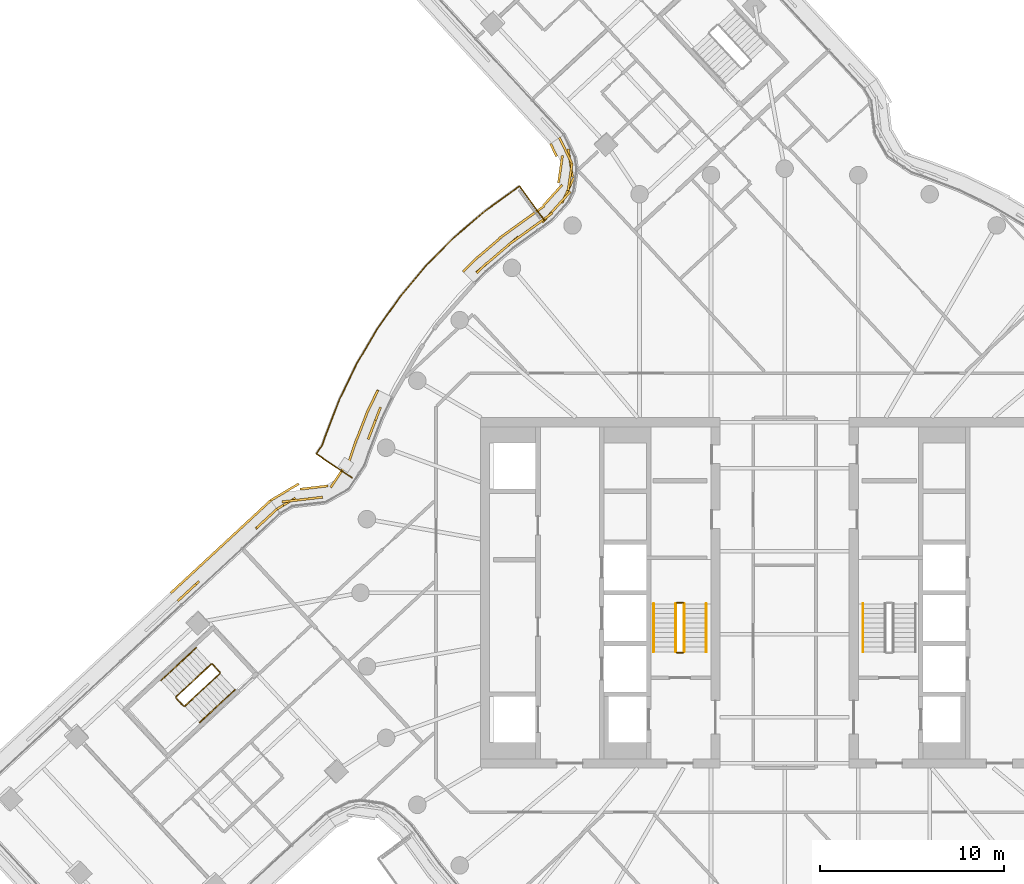
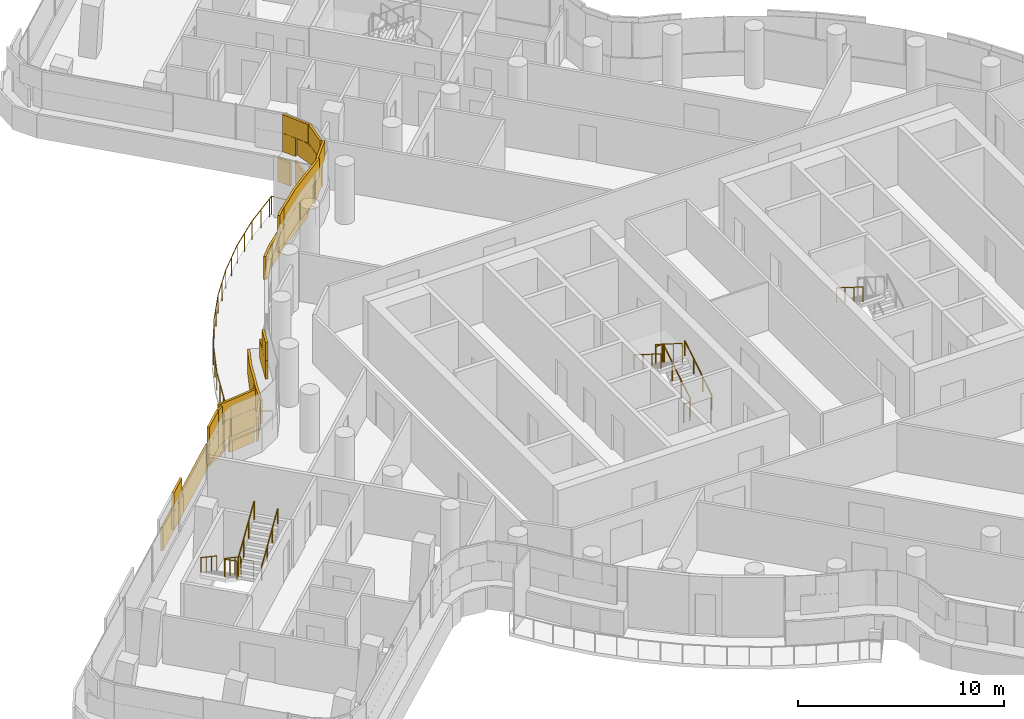
# One storey, part 30 of 34: 14 railings, 3 coverings.
"""IFC4 building model written with IfcOpenShell, lengths in metres."""

from ifc_helpers import new_model, si_unit, direction, frame, origin, origin_2d, place, context, subcontext, project, spatial, rectangle, circle, extrude, material, layer, layer_set, type_object, element, save


model = new_model("IFC4")

# Units and contexts
model_context = context("Model", 3, precision=1e-05, world=origin(), true_north=direction((0.0, 1.0)))
body_context = subcontext(model_context, "Body", "Model", "MODEL_VIEW")
ifc_project = project(units=[si_unit("LENGTHUNIT", "METRE"), si_unit("AREAUNIT", "SQUARE_METRE"), si_unit("VOLUMEUNIT", "CUBIC_METRE"), si_unit("PLANEANGLEUNIT", "RADIAN"), si_unit("MASSUNIT", "GRAM", prefix="KILO")], contexts=[model_context])

# Site, building, storey
site_placement = place(None, origin())
site = spatial("IfcSite", under=ifc_project, at=site_placement, CompositionType="ELEMENT")
building_placement = place(site_placement, origin())
building = spatial("IfcBuilding", under=site, at=building_placement, Name="Tamarind Cross Interchange Tower", CompositionType="ELEMENT")
storey_placement = place(building_placement, frame((0.0, 0.0, 189.699951171875)))
storey = spatial("IfcBuildingStorey", under=building, at=storey_placement, Name="L47", CompositionType="ELEMENT", Elevation=189.699951171875)

# Railings
ifc_material_1 = material(Name="Stainless steel and laminated glass", Category="steel")
railing_type_1 = type_object("IfcRailingType", Name="Balcony guard", PredefinedType="BALUSTRADE", material=ifc_material_1)
railing_1_placement = place(storey_placement, frame((-13.010986328125, 20.17822265625, 0.0)))
element("IfcRailing", 1, at=railing_1_placement, inside=storey, type_object=railing_type_1, Name="Balcony guard 06", PredefinedType="BALUSTRADE", context=body_context, shape_type="SweptSolid", body=[
    extrude(circle(Radius=0.02490234375, at=origin_2d()), frame((0.0, 0.0, 1.0751953125), z_axis=(-0.590665445812, 0.806916557721, 0.0), x_axis=(-0.806916557721, -0.590665445812, 0.0)), (0.0, 0.0, 1.0), 2.320068359375),
    extrude(circle(Radius=0.02490234375, at=origin_2d()), frame((-1.370361328125, 1.8720703125, 1.0751953125), z_axis=(-0.807054073648, -0.590477537429, 0.0), x_axis=(0.590477537429, -0.807054073648, 0.0)), (0.0, 0.0, 1.0), 0.239013671875),
    extrude(circle(Radius=0.02490234375, at=origin_2d()), frame((-1.563232421875, 1.73095703125, 1.0751953125), z_axis=(-0.811328541389, -0.584590453162, 0.0), x_axis=(0.584590453162, -0.811328541389, 0.0)), (0.0, 0.0, 1.0), 2.070556640625),
    extrude(circle(Radius=0.02490234375, at=origin_2d()), frame((-3.2431640625, 0.5205078125, 1.0751953125), z_axis=(-0.760277812684, -0.649598066146, 0.0), x_axis=(0.649598066146, -0.760277812684, 0.0)), (0.0, 0.0, 1.0), 2.175048828125),
    extrude(circle(Radius=0.02490234375, at=origin_2d()), frame((-4.896728515625, -0.892333984375, 1.0751953125), z_axis=(-0.704069857635, -0.710130717242, 0.0), x_axis=(0.710130717242, -0.704069857635, 0.0)), (0.0, 0.0, 1.0), 2.17529296875),
    extrude(circle(Radius=0.02490234375, at=origin_2d()), frame((-6.42822265625, -2.43701171875, 1.0751953125), z_axis=(-0.642984125922, -0.765879503455, 0.0), x_axis=(0.765879503455, -0.642984125922, 0.0)), (0.0, 0.0, 1.0), 2.17529296875),
    extrude(circle(Radius=0.02490234375, at=origin_2d()), frame((-7.826904296875, -4.10302734375, 1.0751953125), z_axis=(-0.577590617379, -0.81632657602, 0.0), x_axis=(0.81632657602, -0.577590617379, 0.0)), (0.0, 0.0, 1.0), 2.175048828125),
    extrude(circle(Radius=0.02490234375, at=origin_2d()), frame((-9.083251953125, -5.878662109375, 1.0751953125), z_axis=(-0.508226290333, -0.861223570169, 0.0), x_axis=(0.861223570169, -0.508226290333, 0.0)), (0.0, 0.0, 1.0), 2.175048828125),
    extrude(circle(Radius=0.02490234375, at=origin_2d()), frame((-10.188720703125, -7.751953125, 1.0751953125), z_axis=(-0.435276325285, -0.90029690694, 0.0), x_axis=(0.90029690694, -0.435276325285, 0.0)), (0.0, 0.0, 1.0), 2.175048828125),
    extrude(circle(Radius=0.02490234375, at=origin_2d()), frame((-11.135498046875, -9.710205078125, 1.0751953125), z_axis=(-0.359478475967, -0.933153377166, 0.0), x_axis=(0.933153377166, -0.359478475967, 0.0)), (0.0, 0.0, 1.0), 2.129150390625),
    extrude(circle(Radius=0.02490234375, at=origin_2d()), frame((-11.90087890625, -11.697021484375, 1.0751953125), z_axis=(-0.319090602552, -0.947724214824, 0.0), x_axis=(0.947724214824, -0.319090602552, 0.0)), (0.0, 0.0, 1.0), 0.48583984375),
    extrude(circle(Radius=0.02490234375, at=origin_2d()), frame((-12.055908203125, -12.157470703125, 1.0751953125), z_axis=(-0.556423854411, -0.830898606475, 0.0), x_axis=(0.830898606475, -0.556423854411, 0.0)), (0.0, 0.0, 1.0), 0.587890625),
    extrude(circle(Radius=0.02490234375, at=origin_2d()), frame((-12.383056640625, -12.64599609375, 1.0751953125), z_axis=(0.830931502498, -0.55637472818, 0.0), x_axis=(0.55637472818, 0.830931502498, 0.0)), (0.0, 0.0, 1.0), 2.320068359375),
    extrude(circle(Radius=0.02001953125, at=origin_2d()), origin(), (0.0, 0.0, 1.0), 1.050048828125),
    extrude(circle(Radius=0.02001953125, at=origin_2d()), frame((-0.68505859375, 0.93603515625, 0.0)), (0.0, 0.0, 1.0), 1.050048828125),
    extrude(circle(Radius=0.02001953125, at=origin_2d()), frame((-1.370361328125, 1.8720703125, 0.0)), (0.0, 0.0, 1.0), 1.050048828125),
    extrude(circle(Radius=0.02001953125, at=origin_2d()), frame((-1.563232421875, 1.73095703125, 0.0)), (0.0, 0.0, 1.0), 1.050048828125),
    extrude(circle(Radius=0.02001953125, at=origin_2d()), frame((-2.4033203125, 1.125732421875, 0.0)), (0.0, 0.0, 1.0), 1.050048828125),
    extrude(circle(Radius=0.02001953125, at=origin_2d()), frame((-3.2431640625, 0.5205078125, 0.0)), (0.0, 0.0, 1.0), 1.050048828125),
    extrude(circle(Radius=0.02001953125, at=origin_2d()), frame((-4.06982421875, -0.18603515625, 0.0)), (0.0, 0.0, 1.0), 1.050048828125),
    extrude(circle(Radius=0.02001953125, at=origin_2d()), frame((-4.896728515625, -0.892333984375, 0.0)), (0.0, 0.0, 1.0), 1.050048828125),
    extrude(circle(Radius=0.02001953125, at=origin_2d()), frame((-5.66259765625, -1.66455078125, 0.0)), (0.0, 0.0, 1.0), 1.050048828125),
    extrude(circle(Radius=0.02001953125, at=origin_2d()), frame((-6.42822265625, -2.43701171875, 0.0)), (0.0, 0.0, 1.0), 1.050048828125),
    extrude(circle(Radius=0.02001953125, at=origin_2d()), frame((-7.12744140625, -3.27001953125, 0.0)), (0.0, 0.0, 1.0), 1.050048828125),
    extrude(circle(Radius=0.02001953125, at=origin_2d()), frame((-7.826904296875, -4.10302734375, 0.0)), (0.0, 0.0, 1.0), 1.050048828125),
    extrude(circle(Radius=0.02001953125, at=origin_2d()), frame((-8.455078125, -4.99072265625, 0.0)), (0.0, 0.0, 1.0), 1.050048828125),
    extrude(circle(Radius=0.02001953125, at=origin_2d()), frame((-9.083251953125, -5.878662109375, 0.0)), (0.0, 0.0, 1.0), 1.050048828125),
    extrude(circle(Radius=0.02001953125, at=origin_2d()), frame((-9.635986328125, -6.8154296875, 0.0)), (0.0, 0.0, 1.0), 1.050048828125),
    extrude(circle(Radius=0.02001953125, at=origin_2d()), frame((-10.188720703125, -7.751953125, 0.0)), (0.0, 0.0, 1.0), 1.050048828125),
    extrude(circle(Radius=0.02001953125, at=origin_2d()), frame((-10.662109375, -8.73095703125, 0.0)), (0.0, 0.0, 1.0), 1.050048828125),
    extrude(circle(Radius=0.02001953125, at=origin_2d()), frame((-11.135498046875, -9.710205078125, 0.0)), (0.0, 0.0, 1.0), 1.050048828125),
    extrude(circle(Radius=0.02001953125, at=origin_2d()), frame((-11.51806640625, -10.70361328125, 0.0)), (0.0, 0.0, 1.0), 1.050048828125),
    extrude(circle(Radius=0.02001953125, at=origin_2d()), frame((-11.90087890625, -11.697021484375, 0.0)), (0.0, 0.0, 1.0), 1.050048828125),
    extrude(circle(Radius=0.02001953125, at=origin_2d()), frame((-12.055908203125, -12.157470703125, 0.0)), (0.0, 0.0, 1.0), 1.050048828125),
    extrude(circle(Radius=0.02001953125, at=origin_2d()), frame((-12.383056640625, -12.64599609375, 0.0)), (0.0, 0.0, 1.0), 1.050048828125),
    extrude(circle(Radius=0.02001953125, at=origin_2d()), frame((-11.419189453125, -13.29150390625, 0.0)), (0.0, 0.0, 1.0), 1.050048828125),
    extrude(circle(Radius=0.02001953125, at=origin_2d()), frame((-10.455322265625, -13.936767578125, 0.0)), (0.0, 0.0, 1.0), 1.050048828125),
])
ifc_material_2 = material(Name="Stair guard")
railing_type_2 = type_object("IfcRailingType", Name="Stair guard", PredefinedType="GUARDRAIL", material=ifc_material_2)
railing_2_placement = place(storey_placement, frame((-5.449951171875, -3.199951171875, 0.16357421875)))
element("IfcRailing", 2, at=railing_2_placement, inside=storey, type_object=railing_type_2, Name="L47 ST1 stair guard 1", PredefinedType="GUARDRAIL", context=body_context, shape_type="SweptSolid", body=[
    extrude(circle(Radius=0.02392578125, at=origin_2d()), frame((0.0, 0.0, 1.076171875), z_axis=(0.0, 0.846301844409, 0.532703658848), x_axis=(-1.0, 0.0, 0.0)), (0.0, 0.0, 1.0), 3.072021484375),
    extrude(circle(Radius=0.02099609375, at=origin_2d()), origin(), (0.0, 0.0, 1.0), 1.052001953125),
    extrude(circle(Radius=0.02099609375, at=origin_2d()), frame((0.0, 0.86669921875, 0.54541015625)), (0.0, 0.0, 1.0), 1.052001953125),
    extrude(circle(Radius=0.02099609375, at=origin_2d()), frame((0.0, 1.733154296875, 1.091064453125)), (0.0, 0.0, 1.0), 1.052001953125),
    extrude(circle(Radius=0.02099609375, at=origin_2d()), frame((0.0, 2.599853515625, 1.636474609375)), (0.0, 0.0, 1.0), 1.052001953125),
])
railing_3_placement = place(storey_placement, frame((-5.5, -0.550048828125, 1.800048828125)))
element("IfcRailing", 3, at=railing_3_placement, inside=storey, type_object=railing_type_2, Name="L47 ST1 stair guard 2", PredefinedType="GUARDRAIL", context=body_context, shape_type="SweptSolid", body=[
    extrude(circle(Radius=0.02392578125, at=origin_2d()), frame((0.0, 0.0, 1.076171875), z_axis=(-1.0, 0.0, 0.0), x_axis=(0.0, -1.0, 0.0)), (0.0, 0.0, 1.0), 0.35009765625),
    extrude(circle(Radius=0.02099609375, at=origin_2d()), origin(), (0.0, 0.0, 1.0), 1.052001953125),
    extrude(circle(Radius=0.02099609375, at=origin_2d()), frame((-0.35009765625, 0.0, 0.0)), (0.0, 0.0, 1.0), 1.052001953125),
])
railing_4_placement = place(storey_placement, frame((-5.89990234375, -0.60009765625, 1.963623046875)))
element("IfcRailing", 4, at=railing_4_placement, inside=storey, type_object=railing_type_2, Name="L47 ST1 stair guard 3", PredefinedType="GUARDRAIL", context=body_context, shape_type="SweptSolid", body=[
    extrude(circle(Radius=0.02392578125, at=origin_2d()), frame((0.0, 0.0, 1.076171875), z_axis=(0.0, -0.846301844409, 0.532703658848), x_axis=(1.0, 0.0, 0.0)), (0.0, 0.0, 1.0), 3.072021484375),
    extrude(circle(Radius=0.02099609375, at=origin_2d()), origin(), (0.0, 0.0, 1.0), 1.052001953125),
    extrude(circle(Radius=0.02099609375, at=origin_2d()), frame((0.0, -0.86669921875, 0.54541015625)), (0.0, 0.0, 1.0), 1.052001953125),
    extrude(circle(Radius=0.02099609375, at=origin_2d()), frame((0.0, -1.733154296875, 1.091064453125)), (0.0, 0.0, 1.0), 1.052001953125),
    extrude(circle(Radius=0.02099609375, at=origin_2d()), frame((0.0, -2.599853515625, 1.636474609375)), (0.0, 0.0, 1.0), 1.052001953125),
])
railing_5_placement = place(storey_placement, frame((-5.5, -3.25, 0.0)))
element("IfcRailing", 5, at=railing_5_placement, inside=storey, type_object=railing_type_2, Name="L47 ST1 stair guard 4", PredefinedType="GUARDRAIL", context=body_context, shape_type="SweptSolid", body=[
    extrude(circle(Radius=0.02392578125, at=origin_2d()), frame((0.0, 0.0, 1.076171875), z_axis=(-1.0, 0.0, 0.0), x_axis=(0.0, -1.0, 0.0)), (0.0, 0.0, 1.0), 0.35009765625),
    extrude(circle(Radius=0.02099609375, at=origin_2d()), origin(), (0.0, 0.0, 1.0), 1.052001953125),
    extrude(circle(Radius=0.02099609375, at=origin_2d()), frame((-0.35009765625, 0.0, 0.0)), (0.0, 0.0, 1.0), 1.052001953125),
])
railing_6_placement = place(storey_placement, frame((-31.097412109375, -3.86669921875, 0.16357421875)))
element("IfcRailing", 6, at=railing_6_placement, inside=storey, type_object=railing_type_2, Name="L47 ST5 stair guard 1", PredefinedType="GUARDRAIL", context=body_context, shape_type="SweptSolid", body=[
    extrude(circle(Radius=0.02392578125, at=origin_2d()), frame((0.0, 0.0, 1.076171875), z_axis=(-0.620577895674, -0.575439178201, 0.532684547919), x_axis=(0.679935891692, -0.733271561694, 0.0)), (0.0, 0.0, 1.0), 3.072021484375),
    extrude(circle(Radius=0.02099609375, at=origin_2d()), origin(), (0.0, 0.0, 1.0), 1.052001953125),
    extrude(circle(Radius=0.02099609375, at=origin_2d()), frame((-0.635498046875, -0.58935546875, 0.54541015625)), (0.0, 0.0, 1.0), 1.052001953125),
    extrude(circle(Radius=0.02099609375, at=origin_2d()), frame((-1.27099609375, -1.178466796875, 1.091064453125)), (0.0, 0.0, 1.0), 1.052001953125),
    extrude(circle(Radius=0.02099609375, at=origin_2d()), frame((-1.906494140625, -1.767822265625, 1.636474609375)), (0.0, 0.0, 1.0), 1.052001953125),
])
railing_7_placement = place(storey_placement, frame((-33.006591796875, -5.705078125, 1.800048828125)))
element("IfcRailing", 7, at=railing_7_placement, inside=storey, type_object=railing_type_2, Name="L47 ST5 stair guard 2", PredefinedType="GUARDRAIL", context=body_context, shape_type="SweptSolid", body=[
    extrude(circle(Radius=0.02392578125, at=origin_2d()), frame((0.0, 0.0, 1.076171875), z_axis=(0.679951497514, -0.733257090677, 0.0), x_axis=(0.733257090677, 0.679951497514, 0.0)), (0.0, 0.0, 1.0), 0.60009765625),
    extrude(circle(Radius=0.02099609375, at=origin_2d()), origin(), (0.0, 0.0, 1.0), 1.052001953125),
    extrude(circle(Radius=0.02099609375, at=origin_2d()), frame((0.407958984375, -0.43994140625, 0.0)), (0.0, 0.0, 1.0), 1.052001953125),
])
railing_8_placement = place(storey_placement, frame((-32.528076171875, -6.147705078125, 1.963623046875)))
element("IfcRailing", 8, at=railing_8_placement, inside=storey, type_object=railing_type_2, Name="L47 ST5 stair guard 3", PredefinedType="GUARDRAIL", context=body_context, shape_type="SweptSolid", body=[
    extrude(circle(Radius=0.02392578125, at=origin_2d()), frame((0.0, 0.0, 1.076171875), z_axis=(0.620626756555, 0.575410799515, 0.532658277745), x_axis=(-0.679889076676, 0.733314968766, 0.0)), (0.0, 0.0, 1.0), 3.072265625),
    extrude(circle(Radius=0.02099609375, at=origin_2d()), origin(), (0.0, 0.0, 1.0), 1.052001953125),
    extrude(circle(Radius=0.02099609375, at=origin_2d()), frame((0.635498046875, 0.58935546875, 0.54541015625)), (0.0, 0.0, 1.0), 1.052001953125),
    extrude(circle(Radius=0.02099609375, at=origin_2d()), frame((1.271240234375, 1.178466796875, 1.091064453125)), (0.0, 0.0, 1.0), 1.052001953125),
    extrude(circle(Radius=0.02099609375, at=origin_2d()), frame((1.90673828125, 1.767822265625, 1.636474609375)), (0.0, 0.0, 1.0), 1.052001953125),
])
railing_9_placement = place(storey_placement, frame((-31.026611328125, -3.869384765625, 0.0)))
element("IfcRailing", 9, at=railing_9_placement, inside=storey, type_object=railing_type_2, Name="L47 ST5 stair guard 4", PredefinedType="GUARDRAIL", context=body_context, shape_type="SweptSolid", body=[
    extrude(circle(Radius=0.02392578125, at=origin_2d()), frame((0.0, 0.0, 1.076171875), z_axis=(0.679951497514, -0.733257090677, 0.0), x_axis=(0.733257090677, 0.679951497514, 0.0)), (0.0, 0.0, 1.0), 0.60009765625),
    extrude(circle(Radius=0.02099609375, at=origin_2d()), origin(), (0.0, 0.0, 1.0), 1.052001953125),
    extrude(circle(Radius=0.02099609375, at=origin_2d()), frame((0.407958984375, -0.43994140625, 0.0)), (0.0, 0.0, 1.0), 1.052001953125),
])
ifc_material_3 = material(Name="Stair handrail")
railing_type_3 = type_object("IfcRailingType", Name="Stair handrail", PredefinedType="HANDRAIL", material=ifc_material_3)
railing_10_placement = place(storey_placement, frame((-4.25, -3.199951171875, 0.16357421875)))
element("IfcRailing", 10, at=railing_10_placement, inside=storey, type_object=railing_type_3, Name="L47 ST1 stair handrail 1", PredefinedType="HANDRAIL", context=body_context, shape_type="SweptSolid", body=[
    extrude(circle(Radius=0.02392578125, at=origin_2d()), frame((0.0, 0.0, 0.8759765625), z_axis=(0.0, 0.846301844409, 0.532703658848), x_axis=(-1.0, 0.0, 0.0)), (0.0, 0.0, 1.0), 3.072021484375),
    extrude(circle(Radius=0.02099609375, at=origin_2d()), origin(), (0.0, 0.0, 1.0), 0.851806640625),
    extrude(circle(Radius=0.02099609375, at=origin_2d()), frame((0.0, 0.86669921875, 0.54541015625)), (0.0, 0.0, 1.0), 0.851806640625),
    extrude(circle(Radius=0.02099609375, at=origin_2d()), frame((0.0, 1.733154296875, 1.091064453125)), (0.0, 0.0, 1.0), 0.851806640625),
    extrude(circle(Radius=0.02099609375, at=origin_2d()), frame((0.0, 2.599853515625, 1.636474609375)), (0.0, 0.0, 1.0), 0.851806640625),
])
for number, where, name in (
    (11, (-7.10009765625, -0.60009765625, 1.963623046875), "L47 ST1 stair handrail 2"),
    (12, (4.25, -0.60009765625, 1.963623046875), "L47 ST2 stair handrail 2"),
):
    element("IfcRailing", number, at=place(storey_placement, frame(where)), inside=storey, type_object=railing_type_3, Name=name, PredefinedType="HANDRAIL", context=body_context, shape_type="SweptSolid", body=[
        extrude(circle(Radius=0.02392578125, at=origin_2d()), frame((0.0, 0.0, 0.8759765625), z_axis=(0.0, -0.846301844409, 0.532703658848), x_axis=(1.0, 0.0, 0.0)), (0.0, 0.0, 1.0), 3.072021484375),
        extrude(circle(Radius=0.02099609375, at=origin_2d()), origin(), (0.0, 0.0, 1.0), 0.851806640625),
        extrude(circle(Radius=0.02099609375, at=origin_2d()), frame((0.0, -0.86669921875, 0.54541015625)), (0.0, 0.0, 1.0), 0.851806640625),
        extrude(circle(Radius=0.02099609375, at=origin_2d()), frame((0.0, -1.733154296875, 1.091064453125)), (0.0, 0.0, 1.0), 0.851806640625),
        extrude(circle(Radius=0.02099609375, at=origin_2d()), frame((0.0, -2.599853515625, 1.636474609375)), (0.0, 0.0, 1.0), 0.851806640625),
    ])
railing_11_placement = place(storey_placement, frame((-31.913330078125, -2.98681640625, 0.16357421875)))
element("IfcRailing", 13, at=railing_11_placement, inside=storey, type_object=railing_type_3, Name="L47 ST5 stair handrail 1", PredefinedType="HANDRAIL", context=body_context, shape_type="SweptSolid", body=[
    extrude(circle(Radius=0.02392578125, at=origin_2d()), frame((0.0, 0.0, 0.8759765625), z_axis=(-0.620606274629, -0.575386019761, 0.532708907522), x_axis=(0.679885397585, -0.733318379799, 0.0)), (0.0, 0.0, 1.0), 3.072021484375),
    extrude(circle(Radius=0.02099609375, at=origin_2d()), origin(), (0.0, 0.0, 1.0), 0.851806640625),
    extrude(circle(Radius=0.02099609375, at=origin_2d()), frame((-0.635498046875, -0.589111328125, 0.54541015625)), (0.0, 0.0, 1.0), 0.851806640625),
    extrude(circle(Radius=0.02099609375, at=origin_2d()), frame((-1.27099609375, -1.178466796875, 1.091064453125)), (0.0, 0.0, 1.0), 0.851806640625),
    extrude(circle(Radius=0.02099609375, at=origin_2d()), frame((-1.906494140625, -1.767578125, 1.636474609375)), (0.0, 0.0, 1.0), 0.851806640625),
])
railing_12_placement = place(storey_placement, frame((-31.712158203125, -7.027587890625, 1.963623046875)))
element("IfcRailing", 14, at=railing_12_placement, inside=storey, type_object=railing_type_3, Name="L47 ST5 stair handrail 2", PredefinedType="HANDRAIL", context=body_context, shape_type="SweptSolid", body=[
    extrude(circle(Radius=0.02392578125, at=origin_2d()), frame((0.0, 0.0, 0.8759765625), z_axis=(0.620655134945, 0.575357641102, 0.532682633744), x_axis=(-0.679838580068, 0.733361783195, 0.0)), (0.0, 0.0, 1.0), 3.072021484375),
    extrude(circle(Radius=0.02099609375, at=origin_2d()), origin(), (0.0, 0.0, 1.0), 0.851806640625),
    extrude(circle(Radius=0.02099609375, at=origin_2d()), frame((0.635498046875, 0.589111328125, 0.54541015625)), (0.0, 0.0, 1.0), 0.851806640625),
    extrude(circle(Radius=0.02099609375, at=origin_2d()), frame((1.271240234375, 1.178466796875, 1.091064453125)), (0.0, 0.0, 1.0), 0.851806640625),
    extrude(circle(Radius=0.02099609375, at=origin_2d()), frame((1.90673828125, 1.767578125, 1.636474609375)), (0.0, 0.0, 1.0), 0.851806640625),
])

# Coverings
ifc_material_4 = material(Name="Terracotta", Category="masonry")
ifc_layer = layer(ifc_material_4, 0.1201171875)
ifc_layer_set = layer_set([ifc_layer], Name="Terracotta")
covering_type = type_object("IfcCoveringType", Name="Terracotta baguette screen unit", PredefinedType="MOLDING", material=ifc_layer_set)
covering_1_placement = place(storey_placement, origin())
element("IfcCovering", 15, at=covering_1_placement, inside=storey, type_object=covering_type, Name="SCR-L47-06-00", PredefinedType="MOLDING", context=body_context, shape_type="SweptSolid", body=[
    extrude(rectangle(XDim=0.760009765625, YDim=0.1201171875, at=origin_2d()), frame((-12.048828125, 24.341796875, 1.40380859375), z_axis=(0.0, 0.0, 1.0), x_axis=(0.435685357845, -0.900099032862, 0.0)), (0.0, 0.0, 1.0), 1.092041015625),
    extrude(rectangle(XDim=1.52001953125, YDim=0.1201171875, at=origin_2d()), frame((-11.62060546875, 23.309814453125, 1.40380859375), z_axis=(0.0, 0.0, 1.0), x_axis=(0.15334845422, -0.988172177097, 0.0)), (0.0, 0.0, 1.0), 1.092041015625),
    extrude(rectangle(XDim=1.52001953125, YDim=0.1201171875, at=origin_2d()), frame((-11.75048828125, 21.829345703125, 1.40380859375), z_axis=(0.0, 0.0, 1.0), x_axis=(-0.425696394519, -0.904866056217, 0.0)), (0.0, 0.0, 1.0), 1.092041015625),
    extrude(rectangle(XDim=1.52001953125, YDim=0.1201171875, at=origin_2d()), frame((-12.635009765625, 20.635986328125, 1.40380859375), z_axis=(0.0, 0.0, 1.0), x_axis=(-0.671754704283, -0.740773661298, 0.0)), (0.0, 0.0, 1.0), 1.092041015625),
    extrude(rectangle(XDim=1.52001953125, YDim=0.1201171875, at=origin_2d()), frame((-13.809814453125, 19.71142578125, 1.40380859375), z_axis=(0.0, 0.0, 1.0), x_axis=(-0.811340475102, -0.584573890505, 0.0)), (0.0, 0.0, 1.0), 1.092041015625),
    extrude(rectangle(XDim=1.52001953125, YDim=0.1201171875, at=origin_2d()), frame((-15.017333984375, 18.822265625, 1.40380859375), z_axis=(0.0, 0.0, 1.0), x_axis=(-0.760295606781, -0.64957723968, 0.0)), (0.0, 0.0, 1.0), 1.092041015625),
    extrude(rectangle(XDim=1.49365234375, YDim=0.1201171875, at=origin_2d()), frame((-16.151611328125, 17.853271484375, 1.40380859375), z_axis=(0.0, 0.0, 1.0), x_axis=(-0.760295606781, -0.64957723968, 0.0)), (0.0, 0.0, 1.0), 1.092041015625),
    extrude(rectangle(XDim=1.510009765625, YDim=0.1201171875, at=origin_2d()), frame((-11.885498046875, 24.004150390625, 2.50390625), z_axis=(0.0, 0.0, 1.0), x_axis=(0.435685357845, -0.900099032862, 0.0)), (0.0, 0.0, 1.0), 1.092041015625),
    extrude(rectangle(XDim=1.52001953125, YDim=0.1201171875, at=origin_2d()), frame((-11.631103515625, 22.56787109375, 2.50390625), z_axis=(0.0, 0.0, 1.0), x_axis=(-0.14240199293, -0.989808907017, 0.0)), (0.0, 0.0, 1.0), 1.092041015625),
    extrude(rectangle(XDim=1.52001953125, YDim=0.1201171875, at=origin_2d()), frame((-12.131103515625, 21.191650390625, 2.50390625), z_axis=(0.0, 0.0, 1.0), x_axis=(-0.671754704283, -0.740773661298, 0.0)), (0.0, 0.0, 1.0), 1.092041015625),
    extrude(rectangle(XDim=1.52001953125, YDim=0.1201171875, at=origin_2d()), frame((-13.20166015625, 20.150146484375, 2.50390625), z_axis=(0.0, 0.0, 1.0), x_axis=(-0.806902715209, -0.590684355801, 0.0)), (0.0, 0.0, 1.0), 1.092041015625),
    extrude(rectangle(XDim=1.52001953125, YDim=0.1201171875, at=origin_2d()), frame((-14.418212890625, 19.27294921875, 2.50390625), z_axis=(0.0, 0.0, 1.0), x_axis=(-0.811340475102, -0.584573890505, 0.0)), (0.0, 0.0, 1.0), 1.092041015625),
    extrude(rectangle(XDim=1.52001953125, YDim=0.1201171875, at=origin_2d()), frame((-15.58740234375, 18.335205078125, 2.50390625), z_axis=(0.0, 0.0, 1.0), x_axis=(-0.760295606781, -0.64957723968, 0.0)), (0.0, 0.0, 1.0), 1.092041015625),
    extrude(rectangle(XDim=0.74365234375, YDim=0.1201171875, at=origin_2d()), frame((-16.43310546875, 17.60595703125, 2.50390625), z_axis=(0.0, 0.0, 1.0), x_axis=(-0.704057148523, -0.710143317658, 0.0)), (0.0, 0.0, 1.0), 1.092041015625),
    extrude(rectangle(XDim=0.760009765625, YDim=0.1201171875, at=origin_2d()), frame((-12.5263671875, 24.0107421875, 0.00390625), z_axis=(0.0, 0.0, 1.0), x_axis=(0.435685357845, -0.900099032862, 0.0)), (0.0, 0.0, 1.0), 1.39208984375),
    extrude(rectangle(XDim=1.52001953125, YDim=0.1201171875, at=origin_2d()), frame((-12.153564453125, 22.96826171875, 0.00390625), z_axis=(0.0, 0.0, 1.0), x_axis=(-0.14240199293, -0.989808907017, 0.0)), (0.0, 0.0, 1.0), 1.39208984375),
    extrude(rectangle(XDim=1.52001953125, YDim=0.1201171875, at=origin_2d()), frame((-12.57080078125, 21.5615234375, 0.00390625), z_axis=(0.0, 0.0, 1.0), x_axis=(-0.671754704283, -0.740773661298, 0.0)), (0.0, 0.0, 1.0), 1.39208984375),
    extrude(rectangle(XDim=1.52001953125, YDim=0.1201171875, at=origin_2d()), frame((-13.65234375, 20.5322265625, 0.00390625), z_axis=(0.0, 0.0, 1.0), x_axis=(-0.811340475102, -0.584573890505, 0.0)), (0.0, 0.0, 1.0), 1.39208984375),
    extrude(rectangle(XDim=1.52001953125, YDim=0.1201171875, at=origin_2d()), frame((-14.869140625, 19.655517578125, 0.00390625), z_axis=(0.0, 0.0, 1.0), x_axis=(-0.811340475102, -0.584573890505, 0.0)), (0.0, 0.0, 1.0), 1.39208984375),
    extrude(rectangle(XDim=1.52001953125, YDim=0.1201171875, at=origin_2d()), frame((-16.032470703125, 18.7099609375, 0.00390625), z_axis=(0.0, 0.0, 1.0), x_axis=(-0.760295606781, -0.64957723968, 0.0)), (0.0, 0.0, 1.0), 1.39208984375),
    extrude(rectangle(XDim=1.182373046875, YDim=0.1201171875, at=origin_2d()), frame((-17.02490234375, 17.82421875, 0.00390625), z_axis=(0.0, 0.0, 1.0), x_axis=(-0.704057148523, -0.710143317658, 0.0)), (0.0, 0.0, 1.0), 1.39208984375),
    extrude(rectangle(XDim=0.03076171875, YDim=0.1201171875, at=origin_2d()), frame((-22.055908203125, 10.987548828125, 0.00390625), z_axis=(0.0, 0.0, 1.0), x_axis=(-0.435326231914, -0.900272776334, 0.0)), (0.0, 0.0, 1.0), 1.39208984375),
])
covering_2_placement = place(storey_placement, origin())
element("IfcCovering", 16, at=covering_2_placement, inside=storey, type_object=covering_type, Name="SCR-L47-06-01", PredefinedType="MOLDING", context=body_context, shape_type="SweptSolid", body=[
    extrude(rectangle(XDim=1.52001953125, YDim=0.1201171875, at=origin_2d()), frame((-22.185791015625, 9.354248046875, 1.40380859375), z_axis=(0.0, 0.0, 1.0), x_axis=(-0.359495435512, -0.933146843667, 0.0)), (0.0, 0.0, 1.0), 1.092041015625),
    extrude(rectangle(XDim=0.35693359375, YDim=0.1201171875, at=origin_2d()), frame((-22.517822265625, 8.49267578125, 1.40380859375), z_axis=(0.0, 0.0, 1.0), x_axis=(-0.359495435512, -0.933146843667, 0.0)), (0.0, 0.0, 1.0), 1.092041015625),
    extrude(rectangle(XDim=1.462890625, YDim=0.1201171875, at=origin_2d()), frame((-25.779541015625, 5.100341796875, 1.40380859375), z_axis=(0.0, 0.0, 1.0), x_axis=(-0.993237240234, -0.116102474619, 0.0)), (0.0, 0.0, 1.0), 1.092041015625),
    extrude(rectangle(XDim=1.159912109375, YDim=0.1201171875, at=origin_2d()), frame((-27.033203125, 4.836669921875, 1.40380859375), z_axis=(0.0, 0.0, 1.0), x_axis=(-0.859978635856, -0.510330036223, 0.0)), (0.0, 0.0, 1.0), 1.092041015625),
    extrude(rectangle(XDim=1.10693359375, YDim=0.1201171875, at=origin_2d()), frame((-22.383056640625, 8.842529296875, 2.50390625), z_axis=(0.0, 0.0, 1.0), x_axis=(-0.359495435512, -0.933146843667, 0.0)), (0.0, 0.0, 1.0), 1.092041015625),
    extrude(rectangle(XDim=0.712890625, YDim=0.1201171875, at=origin_2d()), frame((-25.406982421875, 5.143798828125, 2.50390625), z_axis=(0.0, 0.0, 1.0), x_axis=(-0.993237240234, -0.116102474619, 0.0)), (0.0, 0.0, 1.0), 1.092041015625),
    extrude(rectangle(XDim=1.52001953125, YDim=0.1201171875, at=origin_2d()), frame((-26.50146484375, 5.018798828125, 2.50390625), z_axis=(0.0, 0.0, 1.0), x_axis=(-0.993799304613, -0.111188768096, 0.0)), (0.0, 0.0, 1.0), 1.092041015625),
    extrude(rectangle(XDim=0.409912109375, YDim=0.1201171875, at=origin_2d()), frame((-27.355712890625, 4.6455078125, 2.50390625), z_axis=(0.0, 0.0, 1.0), x_axis=(-0.859978635856, -0.510330036223, 0.0)), (0.0, 0.0, 1.0), 1.092041015625),
    extrude(rectangle(XDim=1.379638671875, YDim=0.1201171875, at=origin_2d()), frame((-22.36279296875, 10.3525390625, 0.00390625), z_axis=(0.0, 0.0, 1.0), x_axis=(-0.435326231914, -0.900272776334, 0.0)), (0.0, 0.0, 1.0), 1.39208984375),
    extrude(rectangle(XDim=1.52001953125, YDim=0.1201171875, at=origin_2d()), frame((-22.922607421875, 9.038330078125, 0.00390625), z_axis=(0.0, 0.0, 1.0), x_axis=(-0.359495435512, -0.933146843667, 0.0)), (0.0, 0.0, 1.0), 1.39208984375),
    extrude(rectangle(XDim=1.52001953125, YDim=0.1201171875, at=origin_2d()), frame((-23.44970703125, 7.634033203125, 0.00390625), z_axis=(0.0, 0.0, 1.0), x_axis=(-0.319007690234, -0.947752126651, 0.0)), (0.0, 0.0, 1.0), 1.39208984375),
    extrude(rectangle(XDim=1.52001953125, YDim=0.1201171875, at=origin_2d()), frame((-24.1962890625, 6.344482421875, 0.00390625), z_axis=(0.0, 0.0, 1.0), x_axis=(-0.556323551983, -0.830965766749, 0.0)), (0.0, 0.0, 1.0), 1.39208984375),
    extrude(rectangle(XDim=1.52001953125, YDim=0.1201171875, at=origin_2d()), frame((-25.517578125, 5.708740234375, 0.00390625), z_axis=(0.0, 0.0, 1.0), x_axis=(-0.993237240234, -0.116102474619, 0.0)), (0.0, 0.0, 1.0), 1.39208984375),
    extrude(rectangle(XDim=1.52001953125, YDim=0.1201171875, at=origin_2d()), frame((-27.002197265625, 5.522705078125, 0.00390625), z_axis=(0.0, 0.0, 1.0), x_axis=(-0.859978635856, -0.510330036223, 0.0)), (0.0, 0.0, 1.0), 1.39208984375),
    extrude(rectangle(XDim=0.27294921875, YDim=0.1201171875, at=origin_2d()), frame((-27.755859375, 5.075439453125, 0.00390625), z_axis=(0.0, 0.0, 1.0), x_axis=(-0.859978635856, -0.510330036223, 0.0)), (0.0, 0.0, 1.0), 1.39208984375),
])
covering_3_placement = place(storey_placement, origin())
element("IfcCovering", 17, at=covering_3_placement, inside=storey, type_object=covering_type, Name="SCR-L47-07-00", PredefinedType="MOLDING", context=body_context, shape_type="SweptSolid", body=[
    extrude(rectangle(XDim=0.760009765625, YDim=0.1201171875, at=origin_2d()), frame((-27.802734375, 4.288330078125, 1.40380859375), z_axis=(0.0, 0.0, 1.0), x_axis=(-0.73329332084, -0.679912424958, 0.0)), (0.0, 0.0, 1.0), 1.092041015625),
    extrude(rectangle(XDim=0.82666015625, YDim=0.1201171875, at=origin_2d()), frame((-28.377197265625, 3.755859375, 1.40380859375), z_axis=(0.0, 0.0, 1.0), x_axis=(-0.73329332084, -0.679912424958, 0.0)), (0.0, 0.0, 1.0), 1.092041015625),
    extrude(rectangle(XDim=0.993408203125, YDim=0.1201171875, at=origin_2d()), frame((-32.116943359375, 0.288330078125, 1.40380859375), z_axis=(0.0, 0.0, 1.0), x_axis=(-0.73329332084, -0.679912424958, 0.0)), (0.0, 0.0, 1.0), 1.092041015625),
    extrude(rectangle(XDim=0.59326171875, YDim=0.1201171875, at=origin_2d()), frame((-32.69140625, -0.244384765625, 1.40380859375), z_axis=(0.0, 0.0, 1.0), x_axis=(-0.73329332084, -0.679912424958, 0.0)), (0.0, 0.0, 1.0), 1.092041015625),
    extrude(rectangle(XDim=1.510009765625, YDim=0.1201171875, at=origin_2d()), frame((-28.07763671875, 4.033447265625, 2.50390625), z_axis=(0.0, 0.0, 1.0), x_axis=(-0.73329332084, -0.679912424958, 0.0)), (0.0, 0.0, 1.0), 1.092041015625),
    extrude(rectangle(XDim=1.34326171875, YDim=0.1201171875, at=origin_2d()), frame((-32.416259765625, 0.010498046875, 2.50390625), z_axis=(0.0, 0.0, 1.0), x_axis=(-0.73329332084, -0.679912424958, 0.0)), (0.0, 0.0, 1.0), 1.092041015625),
    extrude(rectangle(XDim=0.760009765625, YDim=0.1201171875, at=origin_2d()), frame((-28.15185546875, 4.747314453125, 0.00390625), z_axis=(0.0, 0.0, 1.0), x_axis=(-0.73329332084, -0.679912424958, 0.0)), (0.0, 0.0, 1.0), 1.39208984375),
    extrude(rectangle(XDim=1.52001953125, YDim=0.1201171875, at=origin_2d()), frame((-28.97314453125, 3.98583984375, 0.00390625), z_axis=(0.0, 0.0, 1.0), x_axis=(-0.73329332084, -0.679912424958, 0.0)), (0.0, 0.0, 1.0), 1.39208984375),
    extrude(rectangle(XDim=1.52001953125, YDim=0.1201171875, at=origin_2d()), frame((-30.072998046875, 2.966064453125, 0.00390625), z_axis=(0.0, 0.0, 1.0), x_axis=(-0.73329332084, -0.679912424958, 0.0)), (0.0, 0.0, 1.0), 1.39208984375),
    extrude(rectangle(XDim=1.52001953125, YDim=0.1201171875, at=origin_2d()), frame((-31.173095703125, 1.9462890625, 0.00390625), z_axis=(0.0, 0.0, 1.0), x_axis=(-0.73329332084, -0.679912424958, 0.0)), (0.0, 0.0, 1.0), 1.39208984375),
    extrude(rectangle(XDim=1.52001953125, YDim=0.1201171875, at=origin_2d()), frame((-32.27294921875, 0.92626953125, 0.00390625), z_axis=(0.0, 0.0, 1.0), x_axis=(-0.73329332084, -0.679912424958, 0.0)), (0.0, 0.0, 1.0), 1.39208984375),
    extrude(rectangle(XDim=0.6396484375, YDim=0.1201171875, at=origin_2d()), frame((-33.05029296875, 0.205810546875, 0.00390625), z_axis=(0.0, 0.0, 1.0), x_axis=(-0.73329332084, -0.679912424958, 0.0)), (0.0, 0.0, 1.0), 1.39208984375),
])

save(model, "model.ifc")
